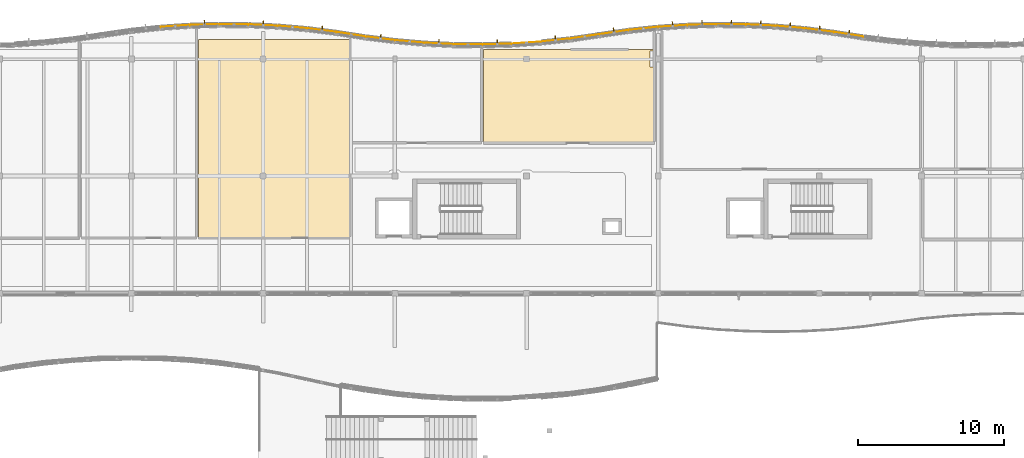
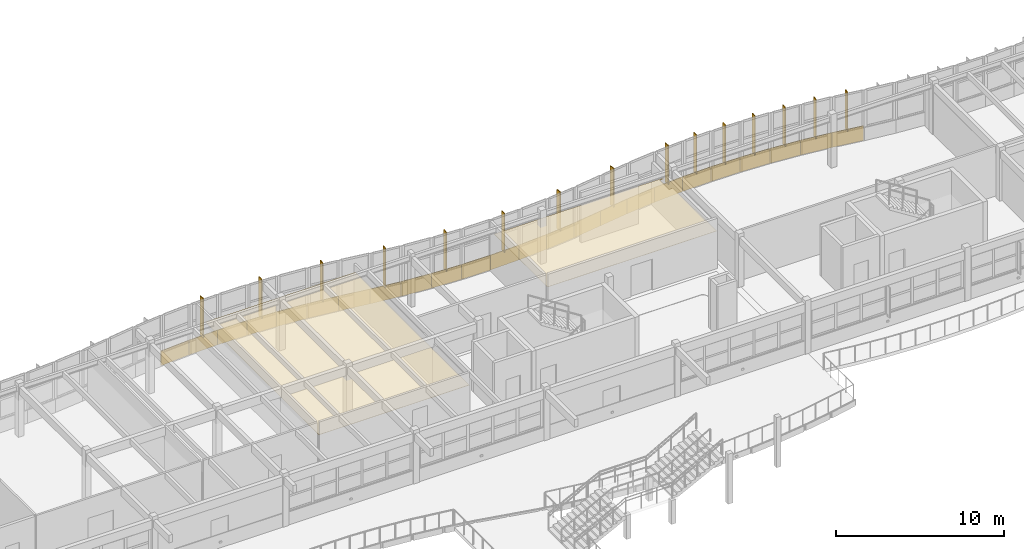
# One storey, part 51 of 52: 26 coverings, 15 shading devices.
"""IFC4 building model written with IfcOpenShell, lengths in metres."""

from ifc_helpers import new_model, si_unit, direction, frame, origin, origin_2d, place, context, subcontext, project, spatial, polyline, rectangle, outline, extrude, material, layer, layer_set, type_object, element, save


model = new_model("IFC4")

# Units and contexts
model_context = context("Model", 3, precision=1e-05, world=origin(), true_north=direction((0.0, 1.0)))
body_context = subcontext(model_context, "Body", "Model", "MODEL_VIEW")
ifc_project = project(units=[si_unit("LENGTHUNIT", "METRE"), si_unit("AREAUNIT", "SQUARE_METRE"), si_unit("VOLUMEUNIT", "CUBIC_METRE"), si_unit("PLANEANGLEUNIT", "RADIAN"), si_unit("MASSUNIT", "GRAM", prefix="KILO")], contexts=[model_context])

# Site, building, storey
site_placement = place(None, origin())
site = spatial("IfcSite", under=ifc_project, at=site_placement, CompositionType="ELEMENT")
building_placement = place(site_placement, origin())
building = spatial("IfcBuilding", under=site, at=building_placement, Name="Tonlespit Floodbar School", CompositionType="ELEMENT")
storey_placement = place(building_placement, frame((0.0, 0.0, 12.300048828125)))
storey = spatial("IfcBuildingStorey", under=building, at=storey_placement, Name="L03", CompositionType="ELEMENT", Elevation=12.300048828125)

# Coverings
ifc_material_1 = material(Name="Acoustic Mineral Tile")
ifc_layer_1 = layer(ifc_material_1, 0.02001953125)
ifc_layer_set_1 = layer_set([ifc_layer_1], Name="Acoustic Mineral Tile")
covering_type_1 = type_object("IfcCoveringType", Name="Ceiling_Acoustic_20", PredefinedType="CEILING", material=ifc_layer_set_1)
covering_1_placement = place(storey_placement, frame((0.0, 0.0, 2.64990234375)))
element("IfcCovering", 1, at=covering_1_placement, inside=storey, type_object=covering_type_1, Name="L03 Middle School Classroom 303 acoustic ceiling", PredefinedType="CEILING", context=body_context, shape_type="SweptSolid", body=[
    extrude(outline(polyline([(94.929931640625, 107.77001953125), (84.570068359375, 107.77001953125), (84.570068359375, 121.340087890625), (94.929931640625, 121.340087890625), (94.929931640625, 107.77001953125)])), origin(), (0.0, 0.0, 1.0), 0.02001953125),
])
covering_2_placement = place(storey_placement, frame((0.0, 0.0, 2.64990234375)))
element("IfcCovering", 2, at=covering_2_placement, inside=storey, type_object=covering_type_1, Name="L03 Middle School Classroom 304 acoustic ceiling", PredefinedType="CEILING", context=body_context, shape_type="SweptSolid", body=[
    extrude(outline(polyline([(115.72998046875, 114.27001953125), (104.070068359375, 114.27001953125), (104.070068359375, 120.64306640625), (115.72998046875, 120.64306640625), (115.72998046875, 120.550048828125), (115.449951171875, 120.550048828125), (115.449951171875, 119.449951171875), (115.72998046875, 119.449951171875), (115.72998046875, 114.27001953125)])), origin(), (0.0, 0.0, 1.0), 0.02001953125),
])
ifc_material_2 = material(Name="White Architectural Aluminium", Category="aluminium")
ifc_layer_2 = layer(ifc_material_2, 0.050048828125)
ifc_layer_set_2 = layer_set([ifc_layer_2], Name="White Architectural Aluminium")
covering_type_2 = type_object("IfcCoveringType", Name="Cladding_WhiteBand_50", PredefinedType="CLADDING", material=ifc_layer_set_2)
covering_3_placement = place(storey_placement, frame((0.0, 0.0, -0.1201171875)))
element("IfcCovering", 3, at=covering_3_placement, inside=storey, type_object=covering_type_2, Name="L03 curved white spandrel cladding 0233", PredefinedType="CLADDING", context=body_context, shape_type="SweptSolid", body=[
    extrude(outline(polyline([(81.993408203125, 122.154052734375), (83.993408203125, 122.2890625), (83.989990234375, 122.339111328125), (81.989990234375, 122.2041015625), (81.993408203125, 122.154052734375)])), origin(), (0.0, 0.0, 1.0), 1.070068359375),
])
covering_4_placement = place(storey_placement, frame((0.0, 0.0, -0.1201171875)))
element("IfcCovering", 4, at=covering_4_placement, inside=storey, type_object=covering_type_2, Name="L03 curved white spandrel cladding 0234", PredefinedType="CLADDING", context=body_context, shape_type="SweptSolid", body=[
    extrude(outline(polyline([(83.9970703125, 122.289306640625), (85.9970703125, 122.346923828125), (85.99560546875, 122.39697265625), (83.99560546875, 122.33935546875), (83.9970703125, 122.289306640625)])), origin(), (0.0, 0.0, 1.0), 1.070068359375),
])
covering_5_placement = place(storey_placement, frame((0.0, 0.0, -0.1201171875)))
element("IfcCovering", 5, at=covering_5_placement, inside=storey, type_object=covering_type_2, Name="L03 curved white spandrel cladding 0235", PredefinedType="CLADDING", context=body_context, shape_type="SweptSolid", body=[
    extrude(outline(polyline([(86.0009765625, 122.346923828125), (88.0009765625, 122.327880859375), (88.00146484375, 122.377685546875), (86.00146484375, 122.39697265625), (86.0009765625, 122.346923828125)])), origin(), (0.0, 0.0, 1.0), 1.070068359375),
])
covering_6_placement = place(storey_placement, frame((0.0, 0.0, -0.1201171875)))
element("IfcCovering", 6, at=covering_6_placement, inside=storey, type_object=covering_type_2, Name="L03 curved white spandrel cladding 0236", PredefinedType="CLADDING", context=body_context, shape_type="SweptSolid", body=[
    extrude(outline(polyline([(88.0048828125, 122.32763671875), (90.0048828125, 122.2314453125), (90.007080078125, 122.28125), (88.007080078125, 122.377685546875), (88.0048828125, 122.32763671875)])), origin(), (0.0, 0.0, 1.0), 1.070068359375),
])
covering_7_placement = place(storey_placement, frame((0.0, 0.0, -0.1201171875)))
element("IfcCovering", 7, at=covering_7_placement, inside=storey, type_object=covering_type_2, Name="L03 curved white spandrel cladding 0237", PredefinedType="CLADDING", context=body_context, shape_type="SweptSolid", body=[
    extrude(outline(polyline([(90.0087890625, 122.231201171875), (92.0087890625, 122.057373046875), (92.012939453125, 122.107177734375), (90.012939453125, 122.281005859375), (90.0087890625, 122.231201171875)])), origin(), (0.0, 0.0, 1.0), 1.070068359375),
])
covering_8_placement = place(storey_placement, frame((0.0, 0.0, -0.1201171875)))
element("IfcCovering", 8, at=covering_8_placement, inside=storey, type_object=covering_type_2, Name="L03 curved white spandrel cladding 0238", PredefinedType="CLADDING", context=body_context, shape_type="SweptSolid", body=[
    extrude(outline(polyline([(92.012451171875, 122.056884765625), (94.012451171875, 121.804931640625), (94.018798828125, 121.8544921875), (92.018798828125, 122.1064453125), (92.012451171875, 122.056884765625)])), origin(), (0.0, 0.0, 1.0), 1.070068359375),
])
covering_9_placement = place(storey_placement, frame((0.0, 0.0, -0.1201171875)))
element("IfcCovering", 9, at=covering_9_placement, inside=storey, type_object=covering_type_2, Name="L03 curved white spandrel cladding 0239", PredefinedType="CLADDING", context=body_context, shape_type="SweptSolid", body=[
    extrude(outline(polyline([(94.015380859375, 121.804443359375), (96.015380859375, 121.4931640625), (96.023193359375, 121.54248046875), (94.023193359375, 121.85400390625), (94.015380859375, 121.804443359375)])), origin(), (0.0, 0.0, 1.0), 1.070068359375),
])
covering_10_placement = place(storey_placement, frame((0.0, 0.0, -0.1201171875)))
element("IfcCovering", 10, at=covering_10_placement, inside=storey, type_object=covering_type_2, Name="L03 curved white spandrel cladding 0240", PredefinedType="CLADDING", context=body_context, shape_type="SweptSolid", body=[
    extrude(outline(polyline([(96.012451171875, 121.493408203125), (98.012451171875, 121.241455078125), (98.018798828125, 121.291015625), (96.018798828125, 121.543212890625), (96.012451171875, 121.493408203125)])), origin(), (0.0, 0.0, 1.0), 1.070068359375),
])
covering_11_placement = place(storey_placement, frame((0.0, 0.0, -0.1201171875)))
element("IfcCovering", 11, at=covering_11_placement, inside=storey, type_object=covering_type_2, Name="L03 curved white spandrel cladding 0241", PredefinedType="CLADDING", context=body_context, shape_type="SweptSolid", body=[
    extrude(outline(polyline([(98.0087890625, 121.241943359375), (100.0087890625, 121.068115234375), (100.012939453125, 121.117919921875), (98.012939453125, 121.291748046875), (98.0087890625, 121.241943359375)])), origin(), (0.0, 0.0, 1.0), 1.070068359375),
])
covering_12_placement = place(storey_placement, frame((0.0, 0.0, -0.1201171875)))
element("IfcCovering", 12, at=covering_12_placement, inside=storey, type_object=covering_type_2, Name="L03 curved white spandrel cladding 0242", PredefinedType="CLADDING", context=body_context, shape_type="SweptSolid", body=[
    extrude(outline(polyline([(100.0048828125, 121.068359375), (102.0048828125, 120.97216796875), (102.007080078125, 121.02197265625), (100.007080078125, 121.118408203125), (100.0048828125, 121.068359375)])), origin(), (0.0, 0.0, 1.0), 1.070068359375),
])
covering_13_placement = place(storey_placement, frame((0.0, 0.0, -0.1201171875)))
element("IfcCovering", 13, at=covering_13_placement, inside=storey, type_object=covering_type_2, Name="L03 curved white spandrel cladding 0243", PredefinedType="CLADDING", context=body_context, shape_type="SweptSolid", body=[
    extrude(outline(polyline([(102.0009765625, 120.97216796875), (104.0009765625, 120.952880859375), (104.00146484375, 121.0029296875), (102.00146484375, 121.022216796875), (102.0009765625, 120.97216796875)])), origin(), (0.0, 0.0, 1.0), 1.070068359375),
])
covering_14_placement = place(storey_placement, frame((0.0, 0.0, -0.1201171875)))
element("IfcCovering", 14, at=covering_14_placement, inside=storey, type_object=covering_type_2, Name="L03 curved white spandrel cladding 0244", PredefinedType="CLADDING", context=body_context, shape_type="SweptSolid", body=[
    extrude(outline(polyline([(103.9970703125, 120.952880859375), (105.9970703125, 121.0107421875), (105.99560546875, 121.060791015625), (103.99560546875, 121.0029296875), (103.9970703125, 120.952880859375)])), origin(), (0.0, 0.0, 1.0), 1.070068359375),
])
covering_15_placement = place(storey_placement, frame((0.0, 0.0, -0.1201171875)))
element("IfcCovering", 15, at=covering_15_placement, inside=storey, type_object=covering_type_2, Name="L03 curved white spandrel cladding 0245", PredefinedType="CLADDING", context=body_context, shape_type="SweptSolid", body=[
    extrude(outline(polyline([(105.993408203125, 121.010498046875), (107.993408203125, 121.1455078125), (107.989990234375, 121.1953125), (105.989990234375, 121.060302734375), (105.993408203125, 121.010498046875)])), origin(), (0.0, 0.0, 1.0), 1.070068359375),
])
covering_16_placement = place(storey_placement, frame((0.0, 0.0, -0.1201171875)))
element("IfcCovering", 16, at=covering_16_placement, inside=storey, type_object=covering_type_2, Name="L03 curved white spandrel cladding 0246", PredefinedType="CLADDING", context=body_context, shape_type="SweptSolid", body=[
    extrude(outline(polyline([(107.989501953125, 121.14501953125), (109.989501953125, 121.35791015625), (109.984130859375, 121.407470703125), (107.984130859375, 121.19482421875), (107.989501953125, 121.14501953125)])), origin(), (0.0, 0.0, 1.0), 1.070068359375),
])
covering_17_placement = place(storey_placement, frame((0.0, 0.0, -0.1201171875)))
element("IfcCovering", 17, at=covering_17_placement, inside=storey, type_object=covering_type_2, Name="L03 curved white spandrel cladding 0247", PredefinedType="CLADDING", context=body_context, shape_type="SweptSolid", body=[
    extrude(outline(polyline([(109.985595703125, 121.357421875), (111.985595703125, 121.64892578125), (111.978515625, 121.698486328125), (109.978515625, 121.406982421875), (109.985595703125, 121.357421875)])), origin(), (0.0, 0.0, 1.0), 1.070068359375),
])
covering_18_placement = place(storey_placement, frame((0.0, 0.0, -0.1201171875)))
element("IfcCovering", 18, at=covering_18_placement, inside=storey, type_object=covering_type_2, Name="L03 curved white spandrel cladding 0248", PredefinedType="CLADDING", context=body_context, shape_type="SweptSolid", body=[
    extrude(outline(polyline([(111.985595703125, 121.64892578125), (113.985595703125, 121.940673828125), (113.978515625, 121.989990234375), (111.978515625, 121.698486328125), (111.985595703125, 121.64892578125)])), origin(), (0.0, 0.0, 1.0), 1.070068359375),
])
covering_19_placement = place(storey_placement, frame((0.0, 0.0, -0.1201171875)))
element("IfcCovering", 19, at=covering_19_placement, inside=storey, type_object=covering_type_2, Name="L03 curved white spandrel cladding 0249", PredefinedType="CLADDING", context=body_context, shape_type="SweptSolid", body=[
    extrude(outline(polyline([(113.989501953125, 121.94091796875), (115.989501953125, 122.15380859375), (115.984130859375, 122.203369140625), (113.984130859375, 121.99072265625), (113.989501953125, 121.94091796875)])), origin(), (0.0, 0.0, 1.0), 1.070068359375),
])
covering_20_placement = place(storey_placement, frame((0.0, 0.0, -0.1201171875)))
element("IfcCovering", 20, at=covering_20_placement, inside=storey, type_object=covering_type_2, Name="L03 curved white spandrel cladding 0697", PredefinedType="CLADDING", context=body_context, shape_type="SweptSolid", body=[
    extrude(outline(polyline([(115.993408203125, 122.154052734375), (117.993408203125, 122.2890625), (117.989990234375, 122.339111328125), (115.989990234375, 122.2041015625), (115.993408203125, 122.154052734375)])), origin(), (0.0, 0.0, 1.0), 1.070068359375),
])
covering_21_placement = place(storey_placement, frame((0.0, 0.0, -0.1201171875)))
element("IfcCovering", 21, at=covering_21_placement, inside=storey, type_object=covering_type_2, Name="L03 curved white spandrel cladding 0698", PredefinedType="CLADDING", context=body_context, shape_type="SweptSolid", body=[
    extrude(outline(polyline([(117.9970703125, 122.289306640625), (119.9970703125, 122.346923828125), (119.99560546875, 122.39697265625), (117.99560546875, 122.33935546875), (117.9970703125, 122.289306640625)])), origin(), (0.0, 0.0, 1.0), 1.070068359375),
])
covering_22_placement = place(storey_placement, frame((0.0, 0.0, -0.1201171875)))
element("IfcCovering", 22, at=covering_22_placement, inside=storey, type_object=covering_type_2, Name="L03 curved white spandrel cladding 0699", PredefinedType="CLADDING", context=body_context, shape_type="SweptSolid", body=[
    extrude(outline(polyline([(120.0009765625, 122.346923828125), (122.0009765625, 122.327880859375), (122.00146484375, 122.377685546875), (120.00146484375, 122.39697265625), (120.0009765625, 122.346923828125)])), origin(), (0.0, 0.0, 1.0), 1.070068359375),
])
covering_23_placement = place(storey_placement, frame((0.0, 0.0, -0.1201171875)))
element("IfcCovering", 23, at=covering_23_placement, inside=storey, type_object=covering_type_2, Name="L03 curved white spandrel cladding 0700", PredefinedType="CLADDING", context=body_context, shape_type="SweptSolid", body=[
    extrude(outline(polyline([(122.0048828125, 122.32763671875), (124.0048828125, 122.2314453125), (124.007080078125, 122.28125), (122.007080078125, 122.377685546875), (122.0048828125, 122.32763671875)])), origin(), (0.0, 0.0, 1.0), 1.070068359375),
])
covering_24_placement = place(storey_placement, frame((0.0, 0.0, -0.1201171875)))
element("IfcCovering", 24, at=covering_24_placement, inside=storey, type_object=covering_type_2, Name="L03 curved white spandrel cladding 0701", PredefinedType="CLADDING", context=body_context, shape_type="SweptSolid", body=[
    extrude(outline(polyline([(124.0087890625, 122.231201171875), (126.0087890625, 122.057373046875), (126.012939453125, 122.107177734375), (124.012939453125, 122.281005859375), (124.0087890625, 122.231201171875)])), origin(), (0.0, 0.0, 1.0), 1.070068359375),
])
covering_25_placement = place(storey_placement, frame((0.0, 0.0, -0.1201171875)))
element("IfcCovering", 25, at=covering_25_placement, inside=storey, type_object=covering_type_2, Name="L03 curved white spandrel cladding 0702", PredefinedType="CLADDING", context=body_context, shape_type="SweptSolid", body=[
    extrude(outline(polyline([(126.012451171875, 122.056884765625), (128.012451171875, 121.804931640625), (128.018798828125, 121.8544921875), (126.018798828125, 122.1064453125), (126.012451171875, 122.056884765625)])), origin(), (0.0, 0.0, 1.0), 1.070068359375),
])
covering_26_placement = place(storey_placement, frame((0.0, 0.0, -0.1201171875)))
element("IfcCovering", 26, at=covering_26_placement, inside=storey, type_object=covering_type_2, Name="L03 curved white spandrel cladding 0703", PredefinedType="CLADDING", context=body_context, shape_type="SweptSolid", body=[
    extrude(outline(polyline([(128.015380859375, 121.804443359375), (130.015380859375, 121.4931640625), (130.023193359375, 121.54248046875), (128.023193359375, 121.85400390625), (128.015380859375, 121.804443359375)])), origin(), (0.0, 0.0, 1.0), 1.070068359375),
])

# Shading devices
ifc_material_3 = material(Name="Terracotta Anodised Aluminium", Category="masonry")
ifc_layer_3 = layer(ifc_material_3, 0.06005859375)
ifc_layer_set_3 = layer_set([ifc_layer_3], Name="Terracotta Anodised Aluminium")
shading_device_type = type_object("IfcShadingDeviceType", Name="Shading_SolarFin_350", PredefinedType="USERDEFINED", material=ifc_layer_set_3)
for number, where, z_axis, x_axis, name in (
    (27, (84.992431640625, 122.47802734375, 0.7998046875), (0.0, 0.0, 1.0), (0.999584110869, 0.02883756748, 0.0), "L03 vertical solar fin 066"),
    (28, (89.012451171875, 122.439208984375, 0.7998046875), (0.0, 0.0, 1.0), (0.998842769234, -0.048094930587, 0.0), "L03 vertical solar fin 067"),
    (29, (93.032470703125, 122.089599609375, 0.7998046875), (0.0, 0.0, 1.0), (0.99215533612, -0.125011155539, 0.0), "L03 vertical solar fin 068"),
    (30, (97.032470703125, 121.5263671875, 0.7998046875), (0.0, 0.0, 1.0), (0.99215533612, -0.125011155539, 0.0), "L03 vertical solar fin 069"),
    (31, (101.012451171875, 121.179931640625, 0.7998046875), (0.0, 0.0, 1.0), (0.998842769234, -0.048094930587, 0.0), "L03 vertical solar fin 070"),
    (32, (104.992431640625, 121.1416015625, 0.7998046875), (0.0, 0.0, 1.0), (0.999584110869, 0.02883756748, 0.0), "L03 vertical solar fin 071"),
    (33, (108.972412109375, 121.41064453125, 0.7998046875), (0.0, 0.0, 1.0), (0.99439234017, 0.105753835922, 0.0), "L03 vertical solar fin 072"),
    (34, (112.96240234375, 121.953125, 0.7998046875), (0.0, 0.0, 1.0), (0.989537627347, 0.144275029245, 0.0), "L03 vertical solar fin 073"),
    (35, (116.982421875, 122.381103515625, 0.7998046875), (0.0, 0.0, 1.0), (0.997729639049, 0.067346621018, 0.0), "L03 vertical solar fin 298"),
    (36, (118.992431640625, 122.47802734375, 0.7998046875), (0.0, 0.0, 1.0), (0.999584110869, 0.02883756748, 0.0), "L03 vertical solar fin 299"),
    (37, (121.00244140625, 122.497314453125, 0.7998046875), (0.0, 0.0, 1.0), (0.999953926969, -0.009599163462, 0.0), "L03 vertical solar fin 300"),
    (38, (123.012451171875, 122.439208984375, 0.7998046875), (0.0, 0.0, 1.0), (0.998842769234, -0.048094930587, 0.0), "L03 vertical solar fin 301"),
    (39, (125.0224609375, 122.3037109375, 0.7998046875), (0.0, 0.0, 1.0), (0.996245486492, -0.086573267488, 0.0), "L03 vertical solar fin 302"),
    (40, (127.032470703125, 122.089599609375, 0.7998046875), (0.0, 0.0, 1.0), (0.99215533612, -0.125011155539, 0.0), "L03 vertical solar fin 303"),
    (41, (129.0400390625, 121.806884765625, 0.7998046875), (0.0, 0.0, 1.0), (0.988094768361, -0.153846445322, 0.0), "L03 vertical solar fin 304"),
):
    element("IfcShadingDevice", number, at=place(storey_placement, frame(where, z_axis=z_axis, x_axis=x_axis)), inside=storey, type_object=shading_device_type, Name=name, ObjectType="SOLAR FIN", PredefinedType="USERDEFINED", context=body_context, shape_type="SweptSolid", body=[
        extrude(rectangle(XDim=0.06005859375, YDim=0.35009765625, at=origin_2d()), origin(), (0.0, 0.0, 1.0), 2.85009765625),
    ])

save(model, "model.ifc")
